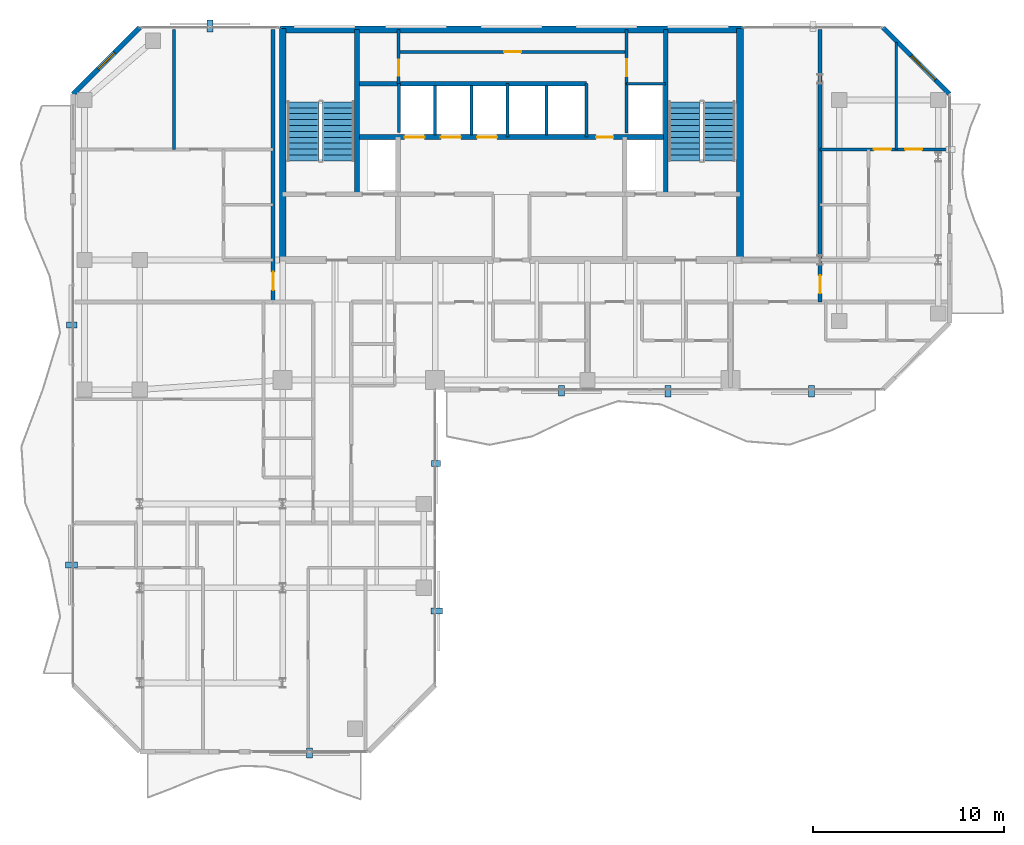
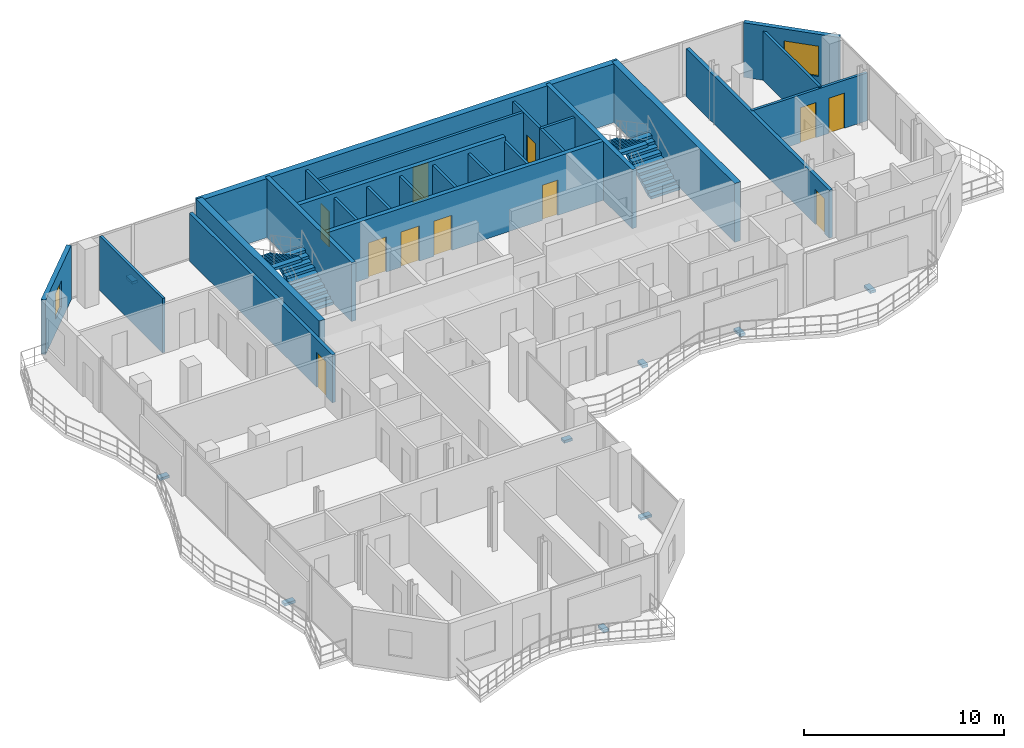
# One storey, part 20 of 24: 25 walls, 11 doors, 9 discrete accessories, 4 stair flights, 2 windows, 13 openings, 2 elements without a shape of their own.
"""IFC4 building model written with IfcOpenShell, lengths in metres."""

from ifc_helpers import new_model, si_unit, direction, frame, frame_2d, origin, origin_2d, place, context, subcontext, project, spatial, polyline, rectangle, outline, extrude, material, layer, layer_set, type_object, element, fill, aggregate, save


model = new_model("IFC4")

# Units and contexts
model_context = context("Model", 3, precision=1e-05, world=origin(), true_north=direction((0.0, 1.0)))
body_context = subcontext(model_context, "Body", "Model", "MODEL_VIEW")
ifc_project = project(units=[si_unit("LENGTHUNIT", "METRE"), si_unit("AREAUNIT", "SQUARE_METRE"), si_unit("VOLUMEUNIT", "CUBIC_METRE"), si_unit("PLANEANGLEUNIT", "RADIAN"), si_unit("MASSUNIT", "GRAM", prefix="KILO")], contexts=[model_context])

# Site, building, storey
site_placement = place(None, origin())
site = spatial("IfcSite", under=ifc_project, at=site_placement, CompositionType="ELEMENT")
building_placement = place(site_placement, origin())
building = spatial("IfcBuilding", under=site, at=building_placement, Name="Catumbela Crestline Tower", CompositionType="ELEMENT")
storey_placement = place(building_placement, frame((0.0, 0.0, 157.8)))
storey = spatial("IfcBuildingStorey", under=building, at=storey_placement, Name="L40", CompositionType="ELEMENT", Elevation=157.8)

# Walls
ifc_material_1 = material(Name="Concrete C50/60", Category="concrete")
ifc_layer_1 = layer(ifc_material_1, 0.25, Name="Concrete C50/60")
ifc_layer_set_1 = layer_set([ifc_layer_1], Name="Concrete C50/60")
wall_type_1 = type_object("IfcWallType", Name="CW-250D", PredefinedType="SHEAR", material=ifc_layer_set_1)
for number, where, z_axis, x_axis, name in (
    (1, (19.9, 34.25, 0.0), (0.0, 0.0, 1.0), (0.0, 1.0, 0.0), "L40 Structural Core Shear Wall WWEB"),
    (2, (36.1, 34.25, 0.0), (0.0, 0.0, 1.0), (0.0, 1.0, 0.0), "L40 Structural Core Shear Wall EWEB"),
):
    element("IfcWall", number, at=place(storey_placement, frame(where, z_axis=z_axis, x_axis=x_axis)), inside=storey, type_object=wall_type_1, Name=name, PredefinedType="SHEAR", context=body_context, shape_type="SweptSolid", body=[
        extrude(rectangle(XDim=8.65, YDim=0.25, at=frame_2d((4.325, 0.0))), origin(), (0.0, 0.0, 1.0), 3.6),
    ])

# Wall, openings, doors
wall_1_placement = place(storey_placement, frame((19.9, 37.25, 0.0), z_axis=(0.0, 0.0, 1.0), x_axis=(1.0, 0.0, 0.0)))
wall_1 = element("IfcWall", 3, at=wall_1_placement, inside=storey, type_object=wall_type_1, Name="L40 Structural Core Shear Wall LIFTN", PredefinedType="SHEAR", context=body_context, shape_type="SweptSolid", body=[
    extrude(rectangle(XDim=16.2, YDim=0.25, at=frame_2d((8.1, 0.0))), origin(), (0.0, 0.0, 1.0), 3.6),
])
opening_1_placement = place(wall_1_placement, frame((12.55, 0.0, 0.0)))
opening_1 = element("IfcOpeningElement", 4, at=opening_1_placement, cuts=wall_1, Name="Opening DF9-090", PredefinedType="OPENING", context=body_context, shape_type="SweptSolid", body=[
    extrude(rectangle(XDim=0.9, YDim=2.15, at=frame_2d((0.45, 1.075))), frame((0.0, 0.135, 0.0), z_axis=(0.0, -1.0, 0.0), x_axis=(1.0, 0.0, 0.0)), (0.0, 0.0, 1.0), 0.27),
])
opening_2_placement = place(wall_1_placement, frame((2.5, 0.0, 0.0)))
opening_2 = element("IfcOpeningElement", 5, at=opening_2_placement, cuts=wall_1, Name="Opening LD-105", PredefinedType="OPENING", context=body_context, shape_type="SweptSolid", body=[
    extrude(rectangle(XDim=1.05, YDim=2.15, at=frame_2d((0.525, 1.075))), frame((0.0, 0.135, 0.0), z_axis=(0.0, -1.0, 0.0), x_axis=(1.0, 0.0, 0.0)), (0.0, 0.0, 1.0), 0.27),
])
opening_3_placement = place(wall_1_placement, frame((4.4, 0.0, 0.0)))
opening_3 = element("IfcOpeningElement", 6, at=opening_3_placement, cuts=wall_1, Name="Opening LD-105", PredefinedType="OPENING", context=body_context, shape_type="SweptSolid", body=[
    extrude(rectangle(XDim=1.05, YDim=2.15, at=frame_2d((0.525, 1.075))), frame((0.0, 0.135, 0.0), z_axis=(0.0, -1.0, 0.0), x_axis=(1.0, 0.0, 0.0)), (0.0, 0.0, 1.0), 0.27),
])
opening_4_placement = place(wall_1_placement, frame((6.3, 0.0, 0.0)))
opening_4 = element("IfcOpeningElement", 7, at=opening_4_placement, cuts=wall_1, Name="Opening LD-105", PredefinedType="OPENING", context=body_context, shape_type="SweptSolid", body=[
    extrude(rectangle(XDim=1.05, YDim=2.15, at=frame_2d((0.525, 1.075))), frame((0.0, 0.135, 0.0), z_axis=(0.0, -1.0, 0.0), x_axis=(1.0, 0.0, 0.0)), (0.0, 0.0, 1.0), 0.27),
])
ifc_material_2 = material(Name="Stainless steel EN 1.4401", Category="steel")
door_type_1 = type_object("IfcDoorType", Name="DF9-090", OperationType="NOTDEFINED", PredefinedType="DOOR", material=ifc_material_2)
door_1_placement = place(opening_1_placement, origin())
door_1 = element("IfcDoor", 8, at=door_1_placement, inside=storey, type_object=door_type_1, Name="L40 Interior Door DR-L40-CPAS1", OperationType="SINGLE_SWING_LEFT", OverallHeight=2.15, OverallWidth=0.9, PredefinedType="DOOR", context=body_context, shape_type="SweptSolid", body=[
    extrude(rectangle(XDim=0.9, YDim=2.15, at=frame_2d((0.45, 1.075))), frame((0.0, 0.025, 0.0), z_axis=(0.0, -1.0, 0.0), x_axis=(1.0, 0.0, 0.0)), (0.0, 0.0, 1.0), 0.05),
])
fill(opening_1, door_1)
door_type_2 = type_object("IfcDoorType", Name="LD-105", OperationType="NOTDEFINED", PredefinedType="DOOR", material=ifc_material_2)
door_2_placement = place(opening_2_placement, origin())
door_2 = element("IfcDoor", 9, at=door_2_placement, inside=storey, type_object=door_type_2, Name="L40 Lift Landing Sliding Door PL-H1", OperationType="DOUBLE_DOOR_SLIDING", OverallHeight=2.15, OverallWidth=1.05, PredefinedType="DOOR", context=body_context, shape_type="SweptSolid", body=[
    extrude(rectangle(XDim=1.05, YDim=2.15, at=frame_2d((0.525, 1.075))), frame((0.0, 0.025, 0.0), z_axis=(0.0, -1.0, 0.0), x_axis=(1.0, 0.0, 0.0)), (0.0, 0.0, 1.0), 0.05),
])
fill(opening_2, door_2)
door_3_placement = place(opening_3_placement, origin())
door_3 = element("IfcDoor", 10, at=door_3_placement, inside=storey, type_object=door_type_2, Name="L40 Lift Landing Sliding Door PL-H2", OperationType="DOUBLE_DOOR_SLIDING", OverallHeight=2.15, OverallWidth=1.05, PredefinedType="DOOR", context=body_context, shape_type="SweptSolid", body=[
    extrude(rectangle(XDim=1.05, YDim=2.15, at=frame_2d((0.525, 1.075))), frame((0.0, 0.025, 0.0), z_axis=(0.0, -1.0, 0.0), x_axis=(1.0, 0.0, 0.0)), (0.0, 0.0, 1.0), 0.05),
])
fill(opening_3, door_3)
door_4_placement = place(opening_4_placement, origin())
door_4 = element("IfcDoor", 11, at=door_4_placement, inside=storey, type_object=door_type_2, Name="L40 Lift Landing Sliding Door PL-H3", OperationType="DOUBLE_DOOR_SLIDING", OverallHeight=2.15, OverallWidth=1.05, PredefinedType="DOOR", context=body_context, shape_type="SweptSolid", body=[
    extrude(rectangle(XDim=1.05, YDim=2.15, at=frame_2d((0.525, 1.075))), frame((0.0, 0.025, 0.0), z_axis=(0.0, -1.0, 0.0), x_axis=(1.0, 0.0, 0.0)), (0.0, 0.0, 1.0), 0.05),
])
fill(opening_4, door_4)

# Walls
wall_2_placement = place(storey_placement, frame((19.9, 40.05, 0.0), z_axis=(0.0, 0.0, 1.0), x_axis=(1.0, 0.0, 0.0)))
element("IfcWall", 12, at=wall_2_placement, inside=storey, type_object=wall_type_1, Name="L40 Structural Core Shear Wall COREN", PredefinedType="SHEAR", context=body_context, shape_type="SweptSolid", body=[
    extrude(rectangle(XDim=12.05, YDim=0.25, at=frame_2d((6.025, 0.0))), origin(), (0.0, 0.0, 1.0), 3.6),
])
ifc_layer_2 = layer(ifc_material_1, 0.35, Name="Concrete C50/60")
ifc_layer_set_2 = layer_set([ifc_layer_2], Name="Concrete C50/60")
wall_type_2 = type_object("IfcWallType", Name="CW-350B", PredefinedType="SHEAR", material=ifc_layer_set_2)
for number, where, z_axis, x_axis, name in (
    (13, (16.0, 30.65, 0.0), (0.0, 0.0, 1.0), (0.0, 1.0, 0.0), "L40 Structural Core Shear Wall W"),
    (14, (40.0, 30.65, 0.0), (0.0, 0.0, 1.0), (0.0, 1.0, 0.0), "L40 Structural Core Shear Wall E"),
):
    element("IfcWall", number, at=place(storey_placement, frame(where, z_axis=z_axis, x_axis=x_axis)), inside=storey, type_object=wall_type_2, Name=name, PredefinedType="SHEAR", context=body_context, shape_type="SweptSolid", body=[
        extrude(rectangle(XDim=12.3, YDim=0.35, at=frame_2d((6.15, 0.0))), origin(), (0.0, 0.0, 1.0), 3.6),
    ])
ifc_layer_3 = layer(ifc_material_1, 0.35, Name="Concrete C50/60")
ifc_layer_set_3 = layer_set([ifc_layer_3], Name="Concrete C50/60")
wall_type_3 = type_object("IfcWallType", Name="CW-350E", PredefinedType="SHEAR", material=ifc_layer_set_3)
wall_3_placement = place(storey_placement, frame((15.85, 42.9, 0.0), z_axis=(0.0, 0.0, 1.0), x_axis=(1.0, 0.0, 0.0)))
element("IfcWall", 15, at=wall_3_placement, inside=storey, type_object=wall_type_3, Name="L40 Structural Core Shear Wall N", PredefinedType="SHEAR", context=body_context, shape_type="SweptSolid", body=[
    extrude(rectangle(XDim=24.3, YDim=0.35, at=frame_2d((12.15, 0.0))), origin(), (0.0, 0.0, 1.0), 3.6),
])

# Wall, opening, door
ifc_material_3 = material(Name="Acoustic gypsum and mineral-wool partition")
ifc_layer_4 = layer(ifc_material_3, 0.2, Name="Acoustic gypsum and mineral-wool partition")
ifc_layer_set_4 = layer_set([ifc_layer_4], Name="Acoustic gypsum and mineral-wool partition")
wall_type_4 = type_object("IfcWallType", Name="WC-200", PredefinedType="PARTITIONING", material=ifc_layer_set_4)
wall_4_placement = place(storey_placement, frame((15.5, 28.6, 0.0), z_axis=(0.0, 0.0, 1.0), x_axis=(0.0, 1.0, 0.0)))
wall_4 = element("IfcWall", 16, at=wall_4_placement, inside=storey, type_object=wall_type_4, Name="L40 Interior Partition PW-L40-NW1-ENT", PredefinedType="PARTITIONING", context=body_context, shape_type="SweptSolid", body=[
    extrude(rectangle(XDim=14.3, YDim=0.2, at=frame_2d((7.15, 0.0))), origin(), (0.0, 0.0, 1.0), 2.93),
])
opening_5_placement = place(wall_4_placement, frame((0.625, 0.0, 0.0)))
opening_5 = element("IfcOpeningElement", 17, at=opening_5_placement, cuts=wall_4, Name="Opening DF6-095", PredefinedType="OPENING", context=body_context, shape_type="SweptSolid", body=[
    extrude(rectangle(XDim=0.95, YDim=2.15, at=frame_2d((0.475, 1.075))), frame((0.0, 0.11, 0.0), z_axis=(0.0, -1.0, 0.0), x_axis=(1.0, 0.0, 0.0)), (0.0, 0.0, 1.0), 0.22),
])
ifc_material_4 = material(Name="Aluminium alloy AW-6060-T66", Category="aluminium")
door_type_3 = type_object("IfcDoorType", Name="DF6-095", OperationType="NOTDEFINED", PredefinedType="DOOR", material=ifc_material_4)
door_5_placement = place(opening_5_placement, origin())
door_5 = element("IfcDoor", 18, at=door_5_placement, inside=storey, type_object=door_type_3, Name="L40 Interior Door DR-L40-NW1-ENT", OperationType="SINGLE_SWING_LEFT", OverallHeight=2.15, OverallWidth=0.95, PredefinedType="DOOR", context=body_context, shape_type="SweptSolid", body=[
    extrude(rectangle(XDim=0.95, YDim=2.15, at=frame_2d((0.475, 1.075))), frame((0.0, 0.025, 0.0), z_axis=(0.0, -1.0, 0.0), x_axis=(1.0, 0.0, 0.0)), (0.0, 0.0, 1.0), 0.05),
])
fill(opening_5, door_5)

wall_5_placement = place(storey_placement, frame((44.2, 28.6, 0.0), z_axis=(0.0, 0.0, 1.0), x_axis=(0.0, 1.0, 0.0)))
wall_5 = element("IfcWall", 19, at=wall_5_placement, inside=storey, type_object=wall_type_4, Name="L40 Interior Partition PW-L40-NE1-ENT", PredefinedType="PARTITIONING", context=body_context, shape_type="SweptSolid", body=[
    extrude(rectangle(XDim=14.3, YDim=0.2, at=frame_2d((7.15, 0.0))), origin(), (0.0, 0.0, 1.0), 2.93),
])
opening_6_placement = place(wall_5_placement, frame((0.445, 0.0, 0.0)))
opening_6 = element("IfcOpeningElement", 20, at=opening_6_placement, cuts=wall_5, Name="Opening DF6-095", PredefinedType="OPENING", context=body_context, shape_type="SweptSolid", body=[
    extrude(rectangle(XDim=0.95, YDim=2.15, at=frame_2d((0.475, 1.075))), frame((0.0, 0.11, 0.0), z_axis=(0.0, -1.0, 0.0), x_axis=(1.0, 0.0, 0.0)), (0.0, 0.0, 1.0), 0.22),
])
door_6_placement = place(opening_6_placement, origin())
door_6 = element("IfcDoor", 21, at=door_6_placement, inside=storey, type_object=door_type_3, Name="L40 Interior Door DR-L40-NE1-ENT", OperationType="SINGLE_SWING_LEFT", OverallHeight=2.15, OverallWidth=0.95, PredefinedType="DOOR", context=body_context, shape_type="SweptSolid", body=[
    extrude(rectangle(XDim=0.95, YDim=2.15, at=frame_2d((0.475, 1.075))), frame((0.0, 0.025, 0.0), z_axis=(0.0, -1.0, 0.0), x_axis=(1.0, 0.0, 0.0)), (0.0, 0.0, 1.0), 0.05),
])
fill(opening_6, door_6)

# Wall, opening, window
ifc_material_5 = material(Name="Angolan grey-ochre granite", Category="masonry")
ifc_layer_5 = layer(ifc_material_5, 0.25, Name="Angolan grey-ochre granite")
ifc_layer_set_5 = layer_set([ifc_layer_5], Name="Angolan grey-ochre granite")
wall_type_5 = type_object("IfcWallType", Name="WE-250", PredefinedType="STANDARD", material=ifc_layer_set_5)
wall_6_placement = place(storey_placement, frame((51.0, 39.5, 0.0), z_axis=(0.0, 0.0, 1.0), x_axis=(-0.707106781187, 0.707106781187, 0.0)))
wall_6 = element("IfcWall", 22, at=wall_6_placement, inside=storey, type_object=wall_type_5, Name="L40 Granite Punched Window Wall 6-1", PredefinedType="STANDARD", context=body_context, shape_type="SweptSolid", body=[
    extrude(rectangle(XDim=4.9497, YDim=0.25, at=frame_2d((2.4748, 0.0))), origin(), (0.0, 0.0, 1.0), 3.33),
])
opening_7_placement = place(wall_6_placement, frame((1.0574, 0.0, 0.75)))
opening_7 = element("IfcOpeningElement", 23, at=opening_7_placement, cuts=wall_6, Name="Opening WN-01", PredefinedType="OPENING", context=body_context, shape_type="SweptSolid", body=[
    extrude(rectangle(XDim=1.8, YDim=1.85, at=frame_2d((0.9, 0.925))), frame((0.0, 0.135, 0.0), z_axis=(0.0, -1.0, 0.0), x_axis=(1.0, 0.0, 0.0)), (0.0, 0.0, 1.0), 0.27),
])
ifc_material_6 = material(Name="Low-E laminated solar-control double glazing", Category="glass")
window_type_1 = type_object("IfcWindowType", Name="WF-1800", PartitioningType="SINGLE_PANEL", PredefinedType="WINDOW", material=ifc_material_6)
window_1_placement = place(opening_7_placement, origin())
window_1 = element("IfcWindow", 24, at=window_1_placement, inside=storey, type_object=window_type_1, Name="L40 Facade Vision Window 229", OverallHeight=1.85, OverallWidth=1.8, PartitioningType="SINGLE_PANEL", PredefinedType="WINDOW", context=body_context, shape_type="SweptSolid", body=[
    extrude(rectangle(XDim=1.8, YDim=1.85, at=frame_2d((0.9, 0.925))), frame((0.0, 0.03, 0.0), z_axis=(0.0, -1.0, 0.0), x_axis=(1.0, 0.0, 0.0)), (0.0, 0.0, 1.0), 0.06),
])
fill(opening_7, window_1)

wall_7_placement = place(storey_placement, frame((8.5, 43.0, 0.0), z_axis=(0.0, 0.0, 1.0), x_axis=(-0.707106781187, -0.707106781187, 0.0)))
wall_7 = element("IfcWall", 25, at=wall_7_placement, inside=storey, type_object=wall_type_5, Name="L40 Granite Punched Window Wall 8-1", PredefinedType="STANDARD", context=body_context, shape_type="SweptSolid", body=[
    extrude(rectangle(XDim=4.9497, YDim=0.25, at=frame_2d((2.4748, 0.0))), origin(), (0.0, 0.0, 1.0), 3.33),
])
opening_8_placement = place(wall_7_placement, frame((1.8748, 0.0, 0.85)))
opening_8 = element("IfcOpeningElement", 26, at=opening_8_placement, cuts=wall_7, Name="Opening WN-02", PredefinedType="OPENING", context=body_context, shape_type="SweptSolid", body=[
    extrude(rectangle(XDim=1.2, YDim=1.6, at=frame_2d((0.6, 0.8))), frame((0.0, 0.135, 0.0), z_axis=(0.0, -1.0, 0.0), x_axis=(1.0, 0.0, 0.0)), (0.0, 0.0, 1.0), 0.27),
])
window_type_2 = type_object("IfcWindowType", Name="WO-1200", PartitioningType="SINGLE_PANEL", PredefinedType="WINDOW", material=ifc_material_6)
window_2_placement = place(opening_8_placement, origin())
window_2 = element("IfcWindow", 27, at=window_2_placement, inside=storey, type_object=window_type_2, Name="L40 Facade Vision Window 230", OverallHeight=1.6, OverallWidth=1.2, PartitioningType="SINGLE_PANEL", PredefinedType="WINDOW", context=body_context, shape_type="SweptSolid", body=[
    extrude(rectangle(XDim=1.2, YDim=1.6, at=frame_2d((0.6, 0.8))), frame((0.0, 0.03, 0.0), z_axis=(0.0, -1.0, 0.0), x_axis=(1.0, 0.0, 0.0)), (0.0, 0.0, 1.0), 0.06),
])
fill(opening_8, window_2)

# Wall
ifc_layer_6 = layer(ifc_material_3, 0.15, Name="Acoustic gypsum and mineral-wool partition")
ifc_layer_set_6 = layer_set([ifc_layer_6], Name="Acoustic gypsum and mineral-wool partition")
wall_type_6 = type_object("IfcWallType", Name="WP-150", PredefinedType="PARTITIONING", material=ifc_layer_set_6)
wall_8_placement = place(storey_placement, frame((34.05, 40.05, 0.0), z_axis=(0.0, 0.0, 1.0), x_axis=(1.0, 0.0, 0.0)))
element("IfcWall", 28, at=wall_8_placement, inside=storey, type_object=wall_type_6, Name="L40 Interior Partition PW-L40-CR-ES", PredefinedType="PARTITIONING", context=body_context, shape_type="SweptSolid", body=[
    extrude(rectangle(XDim=2.05, YDim=0.15, at=frame_2d((1.025, 0.0))), origin(), (0.0, 0.0, 1.0), 3.33),
])

# Wall, opening, door
wall_9_placement = place(storey_placement, frame((34.05, 40.05, 0.0), z_axis=(0.0, 0.0, 1.0), x_axis=(0.0, 1.0, 0.0)))
wall_9 = element("IfcWall", 29, at=wall_9_placement, inside=storey, type_object=wall_type_6, Name="L40 Interior Partition PW-L40-CR-EW", PredefinedType="PARTITIONING", context=body_context, shape_type="SweptSolid", body=[
    extrude(rectangle(XDim=2.85, YDim=0.15, at=frame_2d((1.425, 0.0))), origin(), (0.0, 0.0, 1.0), 3.33),
])
opening_9_placement = place(wall_9_placement, frame((0.385, 0.0, 0.0)))
opening_9 = element("IfcOpeningElement", 30, at=opening_9_placement, cuts=wall_9, Name="Opening DF9-090", PredefinedType="OPENING", context=body_context, shape_type="SweptSolid", body=[
    extrude(rectangle(XDim=0.9, YDim=2.15, at=frame_2d((0.45, 1.075))), frame((0.0, 0.085, 0.0), z_axis=(0.0, -1.0, 0.0), x_axis=(1.0, 0.0, 0.0)), (0.0, 0.0, 1.0), 0.17),
])
door_7_placement = place(opening_9_placement, origin())
door_7 = element("IfcDoor", 31, at=door_7_placement, inside=storey, type_object=door_type_1, Name="L40 Interior Door DR-L40-CREAST", OperationType="SINGLE_SWING_RIGHT", OverallHeight=2.15, OverallWidth=0.9, PredefinedType="DOOR", context=body_context, shape_type="SweptSolid", body=[
    extrude(rectangle(XDim=0.9, YDim=2.15, at=frame_2d((0.45, 1.075))), frame((0.0, 0.025, 0.0), z_axis=(0.0, -1.0, 0.0), x_axis=(1.0, 0.0, 0.0)), (0.0, 0.0, 1.0), 0.05),
])
fill(opening_9, door_7)

wall_10_placement = place(storey_placement, frame((22.08, 40.05, 0.0), z_axis=(0.0, 0.0, 1.0), x_axis=(0.0, 1.0, 0.0)))
wall_10 = element("IfcWall", 32, at=wall_10_placement, inside=storey, type_object=wall_type_6, Name="L40 Interior Partition PW-L40-CR-WCW", PredefinedType="PARTITIONING", context=body_context, shape_type="SweptSolid", body=[
    extrude(rectangle(XDim=2.85, YDim=0.15, at=frame_2d((1.425, 0.0))), origin(), (0.0, 0.0, 1.0), 3.33),
])
opening_10_placement = place(wall_10_placement, frame((0.41, 0.0, 0.0)))
opening_10 = element("IfcOpeningElement", 33, at=opening_10_placement, cuts=wall_10, Name="Opening DI-085", PredefinedType="OPENING", context=body_context, shape_type="SweptSolid", body=[
    extrude(rectangle(XDim=0.85, YDim=2.15, at=frame_2d((0.425, 1.075))), frame((0.0, 0.085, 0.0), z_axis=(0.0, -1.0, 0.0), x_axis=(1.0, 0.0, 0.0)), (0.0, 0.0, 1.0), 0.17),
])
door_type_4 = type_object("IfcDoorType", Name="DI-085", OperationType="NOTDEFINED", PredefinedType="DOOR", material=ifc_material_4)
door_8_placement = place(opening_10_placement, origin())
door_8 = element("IfcDoor", 34, at=door_8_placement, inside=storey, type_object=door_type_4, Name="L40 Interior Door DR-L40-CRWC", OperationType="SINGLE_SWING_LEFT", OverallHeight=2.15, OverallWidth=0.85, PredefinedType="DOOR", context=body_context, shape_type="SweptSolid", body=[
    extrude(rectangle(XDim=0.85, YDim=2.15, at=frame_2d((0.425, 1.075))), frame((0.0, 0.025, 0.0), z_axis=(0.0, -1.0, 0.0), x_axis=(1.0, 0.0, 0.0)), (0.0, 0.0, 1.0), 0.05),
])
fill(opening_10, door_8)

wall_11_placement = place(storey_placement, frame((22.08, 41.72, 0.0), z_axis=(0.0, 0.0, 1.0), x_axis=(1.0, 0.0, 0.0)))
wall_11 = element("IfcWall", 35, at=wall_11_placement, inside=storey, type_object=wall_type_6, Name="L40 Interior Partition PW-L40-CR-MID", PredefinedType="PARTITIONING", context=body_context, shape_type="SweptSolid", body=[
    extrude(rectangle(XDim=11.97, YDim=0.15, at=frame_2d((5.985, 0.0))), origin(), (0.0, 0.0, 1.0), 3.33),
])
opening_11_placement = place(wall_11_placement, frame((5.535, 0.0, 0.0)))
opening_11 = element("IfcOpeningElement", 36, at=opening_11_placement, cuts=wall_11, Name="Opening DF9-090", PredefinedType="OPENING", context=body_context, shape_type="SweptSolid", body=[
    extrude(rectangle(XDim=0.9, YDim=2.15, at=frame_2d((0.45, 1.075))), frame((0.0, 0.085, 0.0), z_axis=(0.0, -1.0, 0.0), x_axis=(1.0, 0.0, 0.0)), (0.0, 0.0, 1.0), 0.17),
])
door_9_placement = place(opening_11_placement, origin())
door_9 = element("IfcDoor", 37, at=door_9_placement, inside=storey, type_object=door_type_1, Name="L40 Interior Door DR-L40-CRMID", OperationType="SINGLE_SWING_LEFT", OverallHeight=2.15, OverallWidth=0.9, PredefinedType="DOOR", context=body_context, shape_type="SweptSolid", body=[
    extrude(rectangle(XDim=0.9, YDim=2.15, at=frame_2d((0.45, 1.075))), frame((0.0, 0.025, 0.0), z_axis=(0.0, -1.0, 0.0), x_axis=(1.0, 0.0, 0.0)), (0.0, 0.0, 1.0), 0.05),
])
fill(opening_11, door_9)

# Wall
wall_12_placement = place(storey_placement, frame((10.3, 36.608, 0.0), z_axis=(0.0, 0.0, 1.0), x_axis=(0.0, 1.0, 0.0)))
element("IfcWall", 38, at=wall_12_placement, inside=storey, type_object=wall_type_6, Name="L40 Interior Partition PW-L40-NW1-BDP", PredefinedType="PARTITIONING", context=body_context, shape_type="SweptSolid", body=[
    extrude(rectangle(XDim=6.292, YDim=0.15, at=frame_2d((3.146, 0.0))), origin(), (0.0, 0.0, 1.0), 3.33),
])

# Wall, openings, doors
wall_13_placement = place(storey_placement, frame((44.2, 36.608, 0.0), z_axis=(0.0, 0.0, 1.0), x_axis=(1.0, 0.0, 0.0)))
wall_13 = element("IfcWall", 39, at=wall_13_placement, inside=storey, type_object=wall_type_6, Name="L40 Interior Partition PW-L40-NE1-KBN", PredefinedType="PARTITIONING", context=body_context, shape_type="SweptSolid", body=[
    extrude(rectangle(XDim=6.7, YDim=0.15, at=frame_2d((3.35, 0.0))), origin(), (0.0, 0.0, 1.0), 2.93),
])
opening_12_placement = place(wall_13_placement, frame((2.821, 0.0, 0.0)))
opening_12 = element("IfcOpeningElement", 40, at=opening_12_placement, cuts=wall_13, Name="Opening DI-090", PredefinedType="OPENING", context=body_context, shape_type="SweptSolid", body=[
    extrude(rectangle(XDim=0.9, YDim=2.15, at=frame_2d((0.45, 1.075))), frame((0.0, 0.085, 0.0), z_axis=(0.0, -1.0, 0.0), x_axis=(1.0, 0.0, 0.0)), (0.0, 0.0, 1.0), 0.17),
])
opening_13_placement = place(wall_13_placement, frame((4.4569, 0.0, 0.0)))
opening_13 = element("IfcOpeningElement", 41, at=opening_13_placement, cuts=wall_13, Name="Opening DI-090", PredefinedType="OPENING", context=body_context, shape_type="SweptSolid", body=[
    extrude(rectangle(XDim=0.9, YDim=2.15, at=frame_2d((0.45, 1.075))), frame((0.0, 0.085, 0.0), z_axis=(0.0, -1.0, 0.0), x_axis=(1.0, 0.0, 0.0)), (0.0, 0.0, 1.0), 0.17),
])
door_type_5 = type_object("IfcDoorType", Name="DI-090", OperationType="NOTDEFINED", PredefinedType="DOOR", material=ifc_material_4)
door_10_placement = place(opening_12_placement, origin())
door_10 = element("IfcDoor", 42, at=door_10_placement, inside=storey, type_object=door_type_5, Name="L40 Interior Door DR-L40-NE1-BD1", OperationType="SINGLE_SWING_LEFT", OverallHeight=2.15, OverallWidth=0.9, PredefinedType="DOOR", context=body_context, shape_type="SweptSolid", body=[
    extrude(rectangle(XDim=0.9, YDim=2.15, at=frame_2d((0.45, 1.075))), frame((0.0, 0.025, 0.0), z_axis=(0.0, -1.0, 0.0), x_axis=(1.0, 0.0, 0.0)), (0.0, 0.0, 1.0), 0.05),
])
fill(opening_12, door_10)
door_11_placement = place(opening_13_placement, origin())
door_11 = element("IfcDoor", 43, at=door_11_placement, inside=storey, type_object=door_type_5, Name="L40 Interior Door DR-L40-NE1-BD2", OperationType="SINGLE_SWING_RIGHT", OverallHeight=2.15, OverallWidth=0.9, PredefinedType="DOOR", context=body_context, shape_type="SweptSolid", body=[
    extrude(rectangle(XDim=0.9, YDim=2.15, at=frame_2d((0.45, 1.075))), frame((0.0, 0.025, 0.0), z_axis=(0.0, -1.0, 0.0), x_axis=(1.0, 0.0, 0.0)), (0.0, 0.0, 1.0), 0.05),
])
fill(opening_13, door_11)

# Walls
wall_14_placement = place(storey_placement, frame((48.196, 36.608, 0.0), z_axis=(0.0, 0.0, 1.0), x_axis=(0.0, 1.0, 0.0)))
element("IfcWall", 44, at=wall_14_placement, inside=storey, type_object=wall_type_6, Name="L40 Interior Partition PW-L40-NE1-BDP", PredefinedType="PARTITIONING", context=body_context, shape_type="SweptSolid", body=[
    extrude(rectangle(XDim=5.596, YDim=0.15, at=frame_2d((2.798, 0.0))), origin(), (0.0, 0.0, 1.0), 3.01),
])
ifc_layer_7 = layer(ifc_material_3, 0.15, Name="Acoustic gypsum and mineral-wool partition")
ifc_layer_set_7 = layer_set([ifc_layer_7], Name="Acoustic gypsum and mineral-wool partition")
wall_type_7 = type_object("IfcWallType", Name="WS-150", PredefinedType="PLUMBINGWALL", material=ifc_layer_set_7)
wall_15_placement = place(storey_placement, frame((22.1, 37.4897, 0.0), z_axis=(0.0, 0.0, 1.0), x_axis=(0.0, 1.0, 0.0)))
element("IfcWall", 45, at=wall_15_placement, inside=storey, type_object=wall_type_7, Name="L40 Interior Partition PW-L40-SHH0", PredefinedType="PLUMBINGWALL", context=body_context, shape_type="SweptSolid", body=[
    extrude(rectangle(XDim=2.5603, YDim=0.15, at=frame_2d((1.2801, 0.0))), origin(), (0.0, 0.0, 1.0), 3.33),
])
wall_16_placement = place(storey_placement, frame((27.8, 37.25, 0.0), z_axis=(0.0, 0.0, 1.0), x_axis=(0.0, 1.0, 0.0)))
element("IfcWall", 46, at=wall_16_placement, inside=storey, type_object=wall_type_7, Name="L40 Interior Partition PW-L40-SHH3", PredefinedType="PLUMBINGWALL", context=body_context, shape_type="SweptSolid", body=[
    extrude(rectangle(XDim=2.8, YDim=0.15, at=frame_2d((1.4, 0.0))), origin(), (0.0, 0.0, 1.0), 3.33),
])
for number, where, z_axis, x_axis, name in (
    (47, (24.0, 37.35, 0.0), (0.0, 0.0, 1.0), (0.0, 1.0, 0.0), "L40 Interior Partition PW-L40-SHH1"),
    (48, (25.9, 37.35, 0.0), (0.0, 0.0, 1.0), (0.0, 1.0, 0.0), "L40 Interior Partition PW-L40-SHH2"),
):
    element("IfcWall", number, at=place(storey_placement, frame(where, z_axis=z_axis, x_axis=x_axis)), inside=storey, type_object=wall_type_7, Name=name, PredefinedType="PLUMBINGWALL", context=body_context, shape_type="SweptSolid", body=[
        extrude(rectangle(XDim=2.6, YDim=0.15, at=frame_2d((1.3, 0.0))), origin(), (0.0, 0.0, 1.0), 3.33),
    ])
wall_17_placement = place(storey_placement, frame((31.95, 37.25, 0.0), z_axis=(0.0, 0.0, 1.0), x_axis=(0.0, 1.0, 0.0)))
element("IfcWall", 49, at=wall_17_placement, inside=storey, type_object=wall_type_7, Name="L40 Interior Partition PW-L40-SHEX2E", PredefinedType="PLUMBINGWALL", context=body_context, shape_type="SweptSolid", body=[
    extrude(rectangle(XDim=2.8, YDim=0.15, at=frame_2d((1.4, 0.0))), origin(), (0.0, 0.0, 1.0), 3.33),
])
wall_18_placement = place(storey_placement, frame((29.85, 37.35, 0.0), z_axis=(0.0, 0.0, 1.0), x_axis=(0.0, 1.0, 0.0)))
element("IfcWall", 50, at=wall_18_placement, inside=storey, type_object=wall_type_7, Name="L40 Interior Partition PW-L40-SHEX1", PredefinedType="PLUMBINGWALL", context=body_context, shape_type="SweptSolid", body=[
    extrude(rectangle(XDim=2.6, YDim=0.15, at=frame_2d((1.3, 0.0))), origin(), (0.0, 0.0, 1.0), 3.33),
])
wall_19_placement = place(storey_placement, frame((34.05, 37.4734, 0.0), z_axis=(0.0, 0.0, 1.0), x_axis=(0.0, 1.0, 0.0)))
element("IfcWall", 51, at=wall_19_placement, inside=storey, type_object=wall_type_7, Name="L40 Interior Partition PW-L40-RISW", PredefinedType="PLUMBINGWALL", context=body_context, shape_type="SweptSolid", body=[
    extrude(rectangle(XDim=2.5766, YDim=0.15, at=frame_2d((1.2883, 0.0))), origin(), (0.0, 0.0, 1.0), 3.33),
])

# Stair, stair flights
ifc_material_7 = material(Name="Concrete C45/55", Category="concrete")
stair_type = type_object("IfcStairType", Name="ST-DLG", PredefinedType="HALF_TURN_STAIR", material=ifc_material_7)
stair_1_placement = place(storey_placement, origin())
stair_1 = element("IfcStair", 52, at=stair_1_placement, inside=storey, type_object=stair_type, Name="L40 West Core Pressurised Exit Stair ST-01", PredefinedType="HALF_TURN_STAIR")
stair_flight_type = type_object("IfcStairFlightType", Name="SF-1636", PredefinedType="STRAIGHT", material=ifc_material_7)
stair_flight_1_placement = place(storey_placement, frame((18.92, 36.0, 0.0), z_axis=(0.0, 0.0, 1.0), x_axis=(0.0, 1.0, 0.0)))
stair_flight_1 = element("IfcStairFlight", 53, at=stair_flight_1_placement, type_object=stair_flight_type, Name="ST-01 flight 1", NumberOfRisers=11, NumberOfTreads=10, PredefinedType="STRAIGHT", RiserHeight=0.163636364, TreadLength=0.31, context=body_context, shape_type="SweptSolid", body=[
    extrude(outline(polyline([(0.0, 0.0), (0.0, 0.1636), (0.31, 0.1636), (0.31, 0.3273), (0.62, 0.3273), (0.62, 0.4909), (0.93, 0.4909), (0.93, 0.6545), (1.24, 0.6545), (1.24, 0.8182), (1.55, 0.8182), (1.55, 0.9818), (1.86, 0.9818), (1.86, 1.1455), (2.17, 1.1455), (2.17, 1.3091), (2.48, 1.3091), (2.48, 1.4727), (2.79, 1.4727), (2.79, 1.6364), (3.1, 1.6364), (3.1, 1.8), (3.1, 1.4554), (0.3427, 0.0), (0.0, 0.0)])), frame((0.0, 0.83, 0.0), z_axis=(0.0, -1.0, 0.0), x_axis=(1.0, 0.0, 0.0)), (0.0, 0.0, 1.0), 1.66),
])
stair_flight_2_placement = place(storey_placement, frame((17.08, 39.1, 1.8), z_axis=(0.0, 0.0, 1.0), x_axis=(0.0, -1.0, 0.0)))
stair_flight_2 = element("IfcStairFlight", 54, at=stair_flight_2_placement, type_object=stair_flight_type, Name="ST-01 flight 2", NumberOfRisers=11, NumberOfTreads=10, PredefinedType="STRAIGHT", RiserHeight=0.163636364, TreadLength=0.31, context=body_context, shape_type="SweptSolid", body=[
    extrude(outline(polyline([(0.0, 0.0), (0.0, 0.1636), (0.31, 0.1636), (0.31, 0.3273), (0.62, 0.3273), (0.62, 0.4909), (0.93, 0.4909), (0.93, 0.6545), (1.24, 0.6545), (1.24, 0.8182), (1.55, 0.8182), (1.55, 0.9818), (1.86, 0.9818), (1.86, 1.1455), (2.17, 1.1455), (2.17, 1.3091), (2.48, 1.3091), (2.48, 1.4727), (2.79, 1.4727), (2.79, 1.6364), (3.1, 1.6364), (3.1, 1.8), (3.1, 1.4554), (0.3427, 0.0), (0.0, 0.0)])), frame((0.0, 0.83, 0.0), z_axis=(0.0, -1.0, 0.0), x_axis=(1.0, 0.0, 0.0)), (0.0, 0.0, 1.0), 1.66),
])
aggregate(stair_1, [stair_flight_1, stair_flight_2])

stair_2_placement = place(storey_placement, origin())
stair_2 = element("IfcStair", 55, at=stair_2_placement, inside=storey, type_object=stair_type, Name="L40 East Core Pressurised Exit Stair ST-02", PredefinedType="HALF_TURN_STAIR")
stair_flight_3_placement = place(storey_placement, frame((38.92, 36.0, 0.0), z_axis=(0.0, 0.0, 1.0), x_axis=(0.0, 1.0, 0.0)))
stair_flight_3 = element("IfcStairFlight", 56, at=stair_flight_3_placement, type_object=stair_flight_type, Name="ST-02 flight 1", NumberOfRisers=11, NumberOfTreads=10, PredefinedType="STRAIGHT", RiserHeight=0.163636364, TreadLength=0.31, context=body_context, shape_type="SweptSolid", body=[
    extrude(outline(polyline([(0.0, 0.0), (0.0, 0.1636), (0.31, 0.1636), (0.31, 0.3273), (0.62, 0.3273), (0.62, 0.4909), (0.93, 0.4909), (0.93, 0.6545), (1.24, 0.6545), (1.24, 0.8182), (1.55, 0.8182), (1.55, 0.9818), (1.86, 0.9818), (1.86, 1.1455), (2.17, 1.1455), (2.17, 1.3091), (2.48, 1.3091), (2.48, 1.4727), (2.79, 1.4727), (2.79, 1.6364), (3.1, 1.6364), (3.1, 1.8), (3.1, 1.4554), (0.3427, 0.0), (0.0, 0.0)])), frame((0.0, 0.83, 0.0), z_axis=(0.0, -1.0, 0.0), x_axis=(1.0, 0.0, 0.0)), (0.0, 0.0, 1.0), 1.66),
])
stair_flight_4_placement = place(storey_placement, frame((37.08, 39.1, 1.8), z_axis=(0.0, 0.0, 1.0), x_axis=(0.0, -1.0, 0.0)))
stair_flight_4 = element("IfcStairFlight", 57, at=stair_flight_4_placement, type_object=stair_flight_type, Name="ST-02 flight 2", NumberOfRisers=11, NumberOfTreads=10, PredefinedType="STRAIGHT", RiserHeight=0.163636364, TreadLength=0.31, context=body_context, shape_type="SweptSolid", body=[
    extrude(outline(polyline([(0.0, 0.0), (0.0, 0.1636), (0.31, 0.1636), (0.31, 0.3273), (0.62, 0.3273), (0.62, 0.4909), (0.93, 0.4909), (0.93, 0.6545), (1.24, 0.6545), (1.24, 0.8182), (1.55, 0.8182), (1.55, 0.9818), (1.86, 0.9818), (1.86, 1.1455), (2.17, 1.1455), (2.17, 1.3091), (2.48, 1.3091), (2.48, 1.4727), (2.79, 1.4727), (2.79, 1.6364), (3.1, 1.6364), (3.1, 1.8), (3.1, 1.4554), (0.3427, 0.0), (0.0, 0.0)])), frame((0.0, 0.83, 0.0), z_axis=(0.0, -1.0, 0.0), x_axis=(1.0, 0.0, 0.0)), (0.0, 0.0, 1.0), 1.66),
])
aggregate(stair_2, [stair_flight_3, stair_flight_4])

# Discrete accessories
discrete_accessory_type = type_object("IfcDiscreteAccessoryType", Name="BK-SS1", PredefinedType="BRACKET", material=ifc_material_2)
discrete_accessory_1_placement = place(storey_placement, frame((17.4, 4.935, -0.18), z_axis=(0.0, 0.0, 1.0), x_axis=(1.0, 0.0, 0.0)))
element("IfcDiscreteAccessory", 58, at=discrete_accessory_1_placement, inside=storey, type_object=discrete_accessory_type, Name="L40 Solar Screen Stainless Bracket 432", PredefinedType="BRACKET", context=body_context, shape_type="SweptSolid", body=[
    extrude(rectangle(XDim=0.32, YDim=0.54, at=origin_2d()), origin(), (0.0, 0.0, 1.0), 0.16),
])
discrete_accessory_2_placement = place(storey_placement, frame((24.085, 12.375, -0.18), z_axis=(0.0, 0.0, 1.0), x_axis=(0.0, 1.0, 0.0)))
element("IfcDiscreteAccessory", 59, at=discrete_accessory_2_placement, inside=storey, type_object=discrete_accessory_type, Name="L40 Solar Screen Stainless Bracket 433", PredefinedType="BRACKET", context=body_context, shape_type="SweptSolid", body=[
    extrude(rectangle(XDim=0.32, YDim=0.62, at=origin_2d()), origin(), (0.0, 0.0, 1.0), 0.16),
])
discrete_accessory_3_placement = place(storey_placement, frame((24.045, 20.125, -0.18), z_axis=(0.0, 0.0, 1.0), x_axis=(0.0, 1.0, 0.0)))
element("IfcDiscreteAccessory", 60, at=discrete_accessory_3_placement, inside=storey, type_object=discrete_accessory_type, Name="L40 Solar Screen Stainless Bracket 434", PredefinedType="BRACKET", context=body_context, shape_type="SweptSolid", body=[
    extrude(rectangle(XDim=0.32, YDim=0.46, at=origin_2d()), origin(), (0.0, 0.0, 1.0), 0.16),
])
discrete_accessory_4_placement = place(storey_placement, frame((30.6375, 23.935, -0.18), z_axis=(0.0, 0.0, 1.0), x_axis=(1.0, 0.0, 0.0)))
element("IfcDiscreteAccessory", 61, at=discrete_accessory_4_placement, inside=storey, type_object=discrete_accessory_type, Name="L40 Solar Screen Stainless Bracket 435", PredefinedType="BRACKET", context=body_context, shape_type="SweptSolid", body=[
    extrude(rectangle(XDim=0.32, YDim=0.54, at=origin_2d()), origin(), (0.0, 0.0, 1.0), 0.16),
])
for number, where, z_axis, x_axis, name in (
    (62, (36.2125, 23.915, -0.18), (0.0, 0.0, 1.0), (1.0, 0.0, 0.0), "L40 Solar Screen Stainless Bracket 436"),
    (63, (43.75, 23.915, -0.18), (0.0, 0.0, 1.0), (1.0, 0.0, 0.0), "L40 Solar Screen Stainless Bracket 437"),
    (64, (12.18, 43.085, -0.18), (0.0, 0.0, 1.0), (-1.0, 0.0, 0.0), "L40 Solar Screen Stainless Bracket 440"),
):
    element("IfcDiscreteAccessory", number, at=place(storey_placement, frame(where, z_axis=z_axis, x_axis=x_axis)), inside=storey, type_object=discrete_accessory_type, Name=name, PredefinedType="BRACKET", context=body_context, shape_type="SweptSolid", body=[
        extrude(rectangle(XDim=0.32, YDim=0.62, at=origin_2d()), origin(), (0.0, 0.0, 1.0), 0.16),
    ])
discrete_accessory_5_placement = place(storey_placement, frame((4.935, 27.4, -0.18), z_axis=(0.0, 0.0, 1.0), x_axis=(0.0, -1.0, 0.0)))
element("IfcDiscreteAccessory", 65, at=discrete_accessory_5_placement, inside=storey, type_object=discrete_accessory_type, Name="L40 Solar Screen Stainless Bracket 441", PredefinedType="BRACKET", context=body_context, shape_type="SweptSolid", body=[
    extrude(rectangle(XDim=0.32, YDim=0.54, at=origin_2d()), origin(), (0.0, 0.0, 1.0), 0.16),
])
discrete_accessory_6_placement = place(storey_placement, frame((4.915, 14.8, -0.18), z_axis=(0.0, 0.0, 1.0), x_axis=(0.0, -1.0, 0.0)))
element("IfcDiscreteAccessory", 66, at=discrete_accessory_6_placement, inside=storey, type_object=discrete_accessory_type, Name="L40 Solar Screen Stainless Bracket 442", PredefinedType="BRACKET", context=body_context, shape_type="SweptSolid", body=[
    extrude(rectangle(XDim=0.32, YDim=0.62, at=origin_2d()), origin(), (0.0, 0.0, 1.0), 0.16),
])

save(model, "model.ifc")
